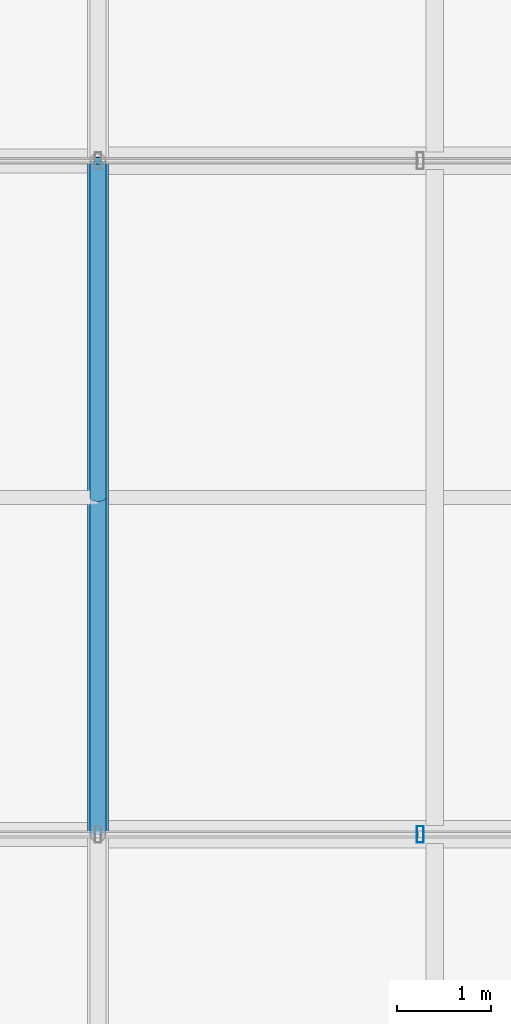
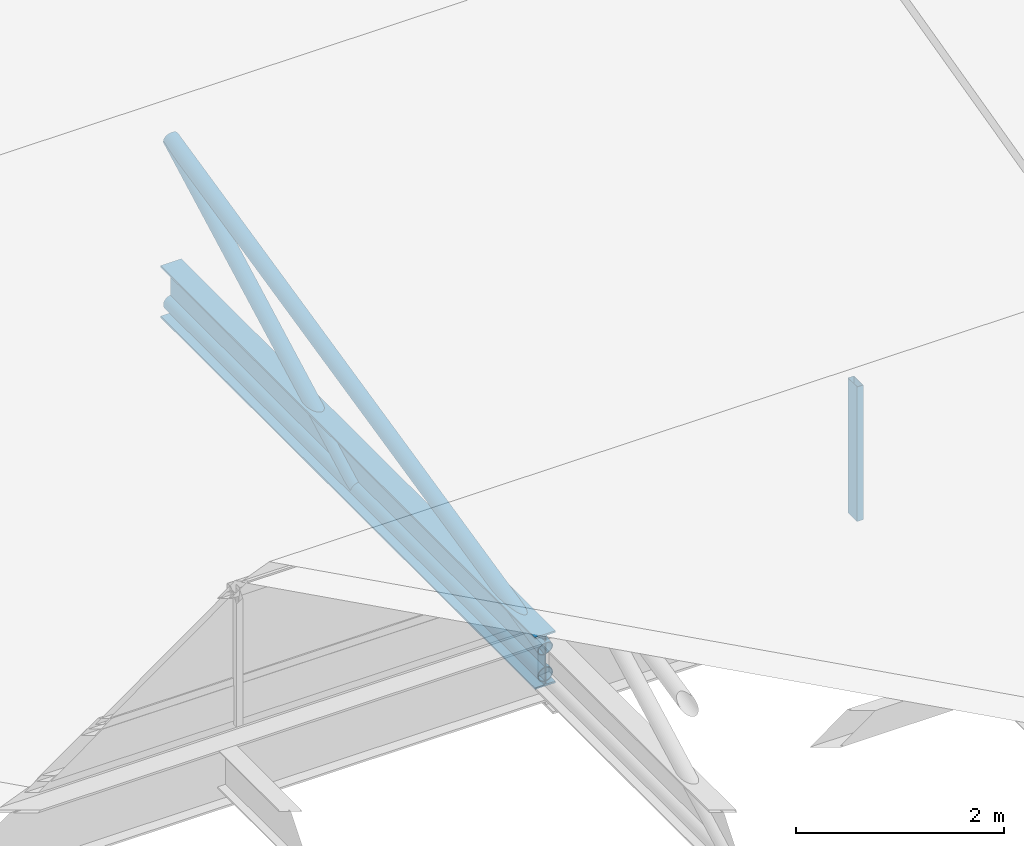
# One storey, part 65 of 144: 4 members, 1 beam, 1 element without a shape of its own.
"""IFC4 building model written with IfcOpenShell, lengths in metres."""

from ifc_helpers import new_model, si_unit, direction, frame, origin, origin_2d, place, context, subcontext, project, spatial, hollow_rectangle, hollow_circle, i_section, extrude, material, material_profile, profile_set, type_object, element, aggregate, save


model = new_model("IFC4")

# Units and contexts
model_context = context("Model", 3, precision=1e-05, world=origin(), true_north=direction((0.0, 1.0)))
body_context = subcontext(model_context, "Body", "Model", "MODEL_VIEW")
ifc_project = project(units=[si_unit("LENGTHUNIT", "METRE"), si_unit("AREAUNIT", "SQUARE_METRE"), si_unit("VOLUMEUNIT", "CUBIC_METRE"), si_unit("PLANEANGLEUNIT", "RADIAN"), si_unit("MASSUNIT", "GRAM", prefix="KILO")], contexts=[model_context])

# Site, building, storey
site_placement = place(None, origin())
site = spatial("IfcSite", under=ifc_project, at=site_placement, CompositionType="ELEMENT")
building_placement = place(site_placement, origin())
building = spatial("IfcBuilding", under=site, at=building_placement, Name="Yarey Park Central Fire Station", CompositionType="ELEMENT")
storey_placement = place(building_placement, frame((0.0, 0.0, 10.199951171875)))
storey = spatial("IfcBuildingStorey", under=building, at=storey_placement, Name="L03", CompositionType="ELEMENT", Elevation=10.199951171875)

# Curtain wall, member
ifc_material_1 = material(Name="Anodized Aluminium Frame", Category="aluminium")
curtain_wall_type = type_object("IfcCurtainWallType", Name="ENV_CW_SAW_18", PredefinedType="NOTDEFINED", material=ifc_material_1)
curtain_wall_placement = place(storey_placement, origin())
curtain_wall = element("IfcCurtainWall", 1, at=curtain_wall_placement, inside=storey, type_object=curtain_wall_type, Name="CW_L03_SAW_3_1", PredefinedType="NOTDEFINED")
ifc_material_profile_1 = material_profile(ifc_material_1, hollow_rectangle(XDim=0.070068359375, YDim=0.179931640625, WallThickness=0.00390625, at=origin_2d()), Name="ALU 180x70x4")
ifc_profile_set_1 = profile_set([ifc_material_profile_1], Name="Anodized Aluminium Frame")
member_type_1 = type_object("IfcMemberType", Name="ENV_CW_MULLION", PredefinedType="MULLION", material=ifc_profile_set_1)
member_1_placement = place(storey_placement, frame((147.445068359375, 64.800048828125, 0.0), z_axis=(0.0, 0.0, 1.0), x_axis=(1.0, 0.0, 0.0)))
member_1 = element("IfcMember", 2, at=member_1_placement, type_object=member_type_1, Name="CW_L03_SAW_3_1_MUL2", PredefinedType="MULLION", context=body_context, shape_type="SweptSolid", body=[
    extrude(hollow_rectangle(XDim=0.070068359375, YDim=0.179931640625, WallThickness=0.00390625, at=origin_2d()), origin(), (0.0, 0.0, 1.0), 1.580078125),
])
aggregate(curtain_wall, [member_1])

# Beam
ifc_material_2 = material(Name="Steel ASTM A992 Gr. 50", Category="steel")
ifc_material_profile_2 = material_profile(ifc_material_2, i_section(OverallWidth=0.22900390625, OverallDepth=0.612060546875, WebThickness=0.011962890625, FlangeThickness=0.01953125, at=origin_2d()), Name="W610x125")
ifc_profile_set_2 = profile_set([ifc_material_profile_2], Name="Steel ASTM A992 Gr. 50")
beam_type = type_object("IfcBeamType", Name="STR_BM_W610", PredefinedType="BEAM", material=ifc_profile_set_2)
beam_placement = place(storey_placement, frame((144.0, 64.800048828125, -0.48583984375), z_axis=(0.0, 1.0, 0.0), x_axis=(-1.0, 0.0, 0.0)))
element("IfcBeam", 3, at=beam_placement, inside=storey, type_object=beam_type, Name="BMY L03 X1440 Y648", PredefinedType="BEAM", context=body_context, shape_type="SweptSolid", body=[
    extrude(i_section(OverallWidth=0.22900390625, OverallDepth=0.612060546875, WebThickness=0.011962890625, FlangeThickness=0.01953125, at=origin_2d()), origin(), (0.0, 0.0, 1.0), 7.199951171875),
])

# Members
ifc_material_3 = material(Name="Steel ASTM A500 Gr. C", Category="steel")
ifc_material_profile_3 = material_profile(ifc_material_3, hollow_circle(Radius=0.084228515625, WallThickness=0.008056640625, at=origin_2d()), Name="CHS 168.3x8")
ifc_profile_set_3 = profile_set([ifc_material_profile_3], Name="Steel ASTM A500 Gr. C")
member_type_2 = type_object("IfcMemberType", Name="STR_CHORD_CHS168", PredefinedType="CHORD", material=ifc_profile_set_3)
member_2_placement = place(storey_placement, frame((144.0, 64.800048828125, -0.64990234375), z_axis=(0.0, 1.0, 0.0), x_axis=(-1.0, 0.0, 0.0)))
element("IfcMember", 4, at=member_2_placement, inside=storey, type_object=member_type_2, Name="SAW_T2_B4_BC", PredefinedType="CHORD", context=body_context, shape_type="SweptSolid", body=[
    extrude(hollow_circle(Radius=0.084228515625, WallThickness=0.008056640625, at=origin_2d()), origin(), (0.0, 0.0, 1.0), 7.199951171875),
])
member_3_placement = place(storey_placement, frame((144.0, 64.800048828125, -0.349853515625), z_axis=(0.0, 0.975464150349, 0.220158332533), x_axis=(-1.0, 0.0, 0.0)))
element("IfcMember", 5, at=member_3_placement, inside=storey, type_object=member_type_2, Name="SAW_T2_B4_TC", PredefinedType="CHORD", context=body_context, shape_type="SweptSolid", body=[
    extrude(hollow_circle(Radius=0.084228515625, WallThickness=0.008056640625, at=origin_2d()), origin(), (0.0, 0.0, 1.0), 7.381103515625),
])
ifc_material_profile_4 = material_profile(ifc_material_3, hollow_circle(Radius=0.084228515625, WallThickness=0.008056640625, at=origin_2d()), Name="CHS 168.3x8")
ifc_profile_set_4 = profile_set([ifc_material_profile_4], Name="Steel ASTM A500 Gr. C")
member_type_3 = type_object("IfcMemberType", Name="STR_WEB_CHS168", PredefinedType="BRACE", material=ifc_profile_set_4)
member_4_placement = place(storey_placement, frame((144.0, 68.39990234375, -0.64990234375), z_axis=(0.0, 0.881844210833, 0.471540865483), x_axis=(-1.0, 0.0, 0.0)))
element("IfcMember", 6, at=member_4_placement, inside=storey, type_object=member_type_3, Name="SAW_T2_B4_DG", PredefinedType="BRACE", context=body_context, shape_type="SweptSolid", body=[
    extrude(hollow_circle(Radius=0.084228515625, WallThickness=0.008056640625, at=origin_2d()), origin(), (0.0, 0.0, 1.0), 4.08251953125),
])

save(model, "model.ifc")
